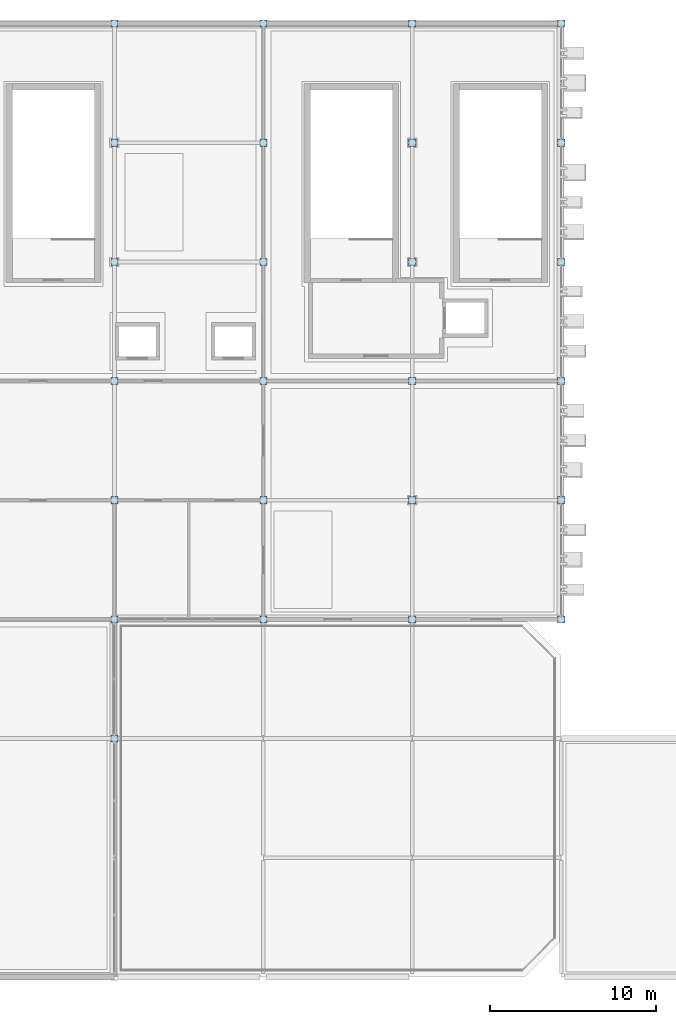
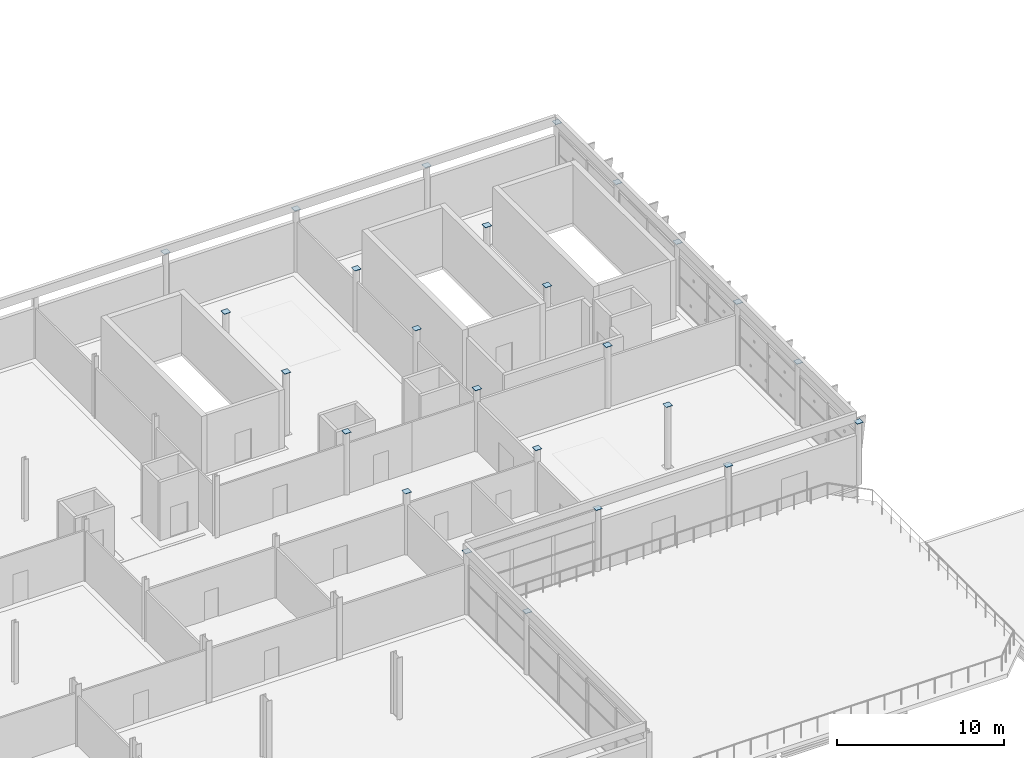
# One storey, part 43 of 52: 25 plates.
"""IFC4 building model written with IfcOpenShell, lengths in metres."""

from ifc_helpers import new_model, si_unit, direction, frame, origin, origin_2d, place, context, subcontext, project, spatial, rectangle, extrude, material, layer, layer_set, type_object, element, save


model = new_model("IFC4")

# Units and contexts
model_context = context("Model", 3, precision=1e-05, world=origin(), true_north=direction((0.0, 1.0)))
body_context = subcontext(model_context, "Body", "Model", "MODEL_VIEW")
ifc_project = project(units=[si_unit("LENGTHUNIT", "METRE"), si_unit("AREAUNIT", "SQUARE_METRE"), si_unit("VOLUMEUNIT", "CUBIC_METRE"), si_unit("PLANEANGLEUNIT", "RADIAN"), si_unit("MASSUNIT", "GRAM", prefix="KILO")], contexts=[model_context])

# Site, building, storey
site_placement = place(None, origin())
site = spatial("IfcSite", under=ifc_project, at=site_placement, CompositionType="ELEMENT")
building_placement = place(site_placement, origin())
building = spatial("IfcBuilding", under=site, at=building_placement, Name="Celestram Park Convention Centre", CompositionType="ELEMENT")
storey_placement = place(building_placement, frame((0.0, 0.0, 24.300048828125)))
storey = spatial("IfcBuildingStorey", under=building, at=storey_placement, Name="L05", CompositionType="ELEMENT", Elevation=24.300048828125)

# Plates
ifc_material = material(Name="Steel ASTM A572 Grade 50", Category="steel")
ifc_layer = layer(ifc_material, 0.02490234375)
ifc_layer_set = layer_set([ifc_layer], Name="Steel ASTM A572 Grade 50")
plate_type = type_object("IfcPlateType", Name="STR-PLT-EC400", PredefinedType="USERDEFINED", material=ifc_layer_set)
for number, where, z_axis, x_axis, name in (
    (1, (72.0, 122.39990234375, 4.49951171875), (0.0, 0.0, 1.0), (1.0, 0.0, 0.0), "HSS column end closure cap plate EC-L05-021"),
    (2, (72.0, 129.60009765625, 4.49951171875), (0.0, 0.0, 1.0), (1.0, 0.0, 0.0), "HSS column end closure cap plate EC-L05-022"),
    (3, (72.0, 136.800048828125, 4.49951171875), (0.0, 0.0, 1.0), (1.0, 0.0, 0.0), "HSS column end closure cap plate EC-L05-023"),
    (4, (72.0, 144.0, 4.49951171875), (0.0, 0.0, 1.0), (1.0, 0.0, 0.0), "HSS column end closure cap plate EC-L05-024"),
    (5, (72.0, 151.199951171875, 4.49951171875), (0.0, 0.0, 1.0), (1.0, 0.0, 0.0), "HSS column end closure cap plate EC-L05-025"),
    (6, (72.0, 158.39990234375, 4.49951171875), (0.0, 0.0, 1.0), (1.0, 0.0, 0.0), "HSS column end closure cap plate EC-L05-026"),
    (7, (72.0, 165.60009765625, 4.49951171875), (0.0, 0.0, 1.0), (1.0, 0.0, 0.0), "HSS column end closure cap plate EC-L05-027"),
    (8, (81.0, 129.60009765625, 4.49951171875), (0.0, 0.0, 1.0), (1.0, 0.0, 0.0), "HSS column end closure cap plate EC-L05-031"),
    (9, (81.0, 136.800048828125, 4.49951171875), (0.0, 0.0, 1.0), (1.0, 0.0, 0.0), "HSS column end closure cap plate EC-L05-032"),
    (10, (81.0, 144.0, 4.49951171875), (0.0, 0.0, 1.0), (1.0, 0.0, 0.0), "HSS column end closure cap plate EC-L05-033"),
    (11, (81.0, 151.199951171875, 4.49951171875), (0.0, 0.0, 1.0), (1.0, 0.0, 0.0), "HSS column end closure cap plate EC-L05-034"),
    (12, (81.0, 158.39990234375, 4.49951171875), (0.0, 0.0, 1.0), (1.0, 0.0, 0.0), "HSS column end closure cap plate EC-L05-035"),
    (13, (81.0, 165.60009765625, 4.49951171875), (0.0, 0.0, 1.0), (1.0, 0.0, 0.0), "HSS column end closure cap plate EC-L05-036"),
    (14, (90.0, 129.60009765625, 4.49951171875), (0.0, 0.0, 1.0), (1.0, 0.0, 0.0), "HSS column end closure cap plate EC-L05-040"),
    (15, (90.0, 136.800048828125, 4.49951171875), (0.0, 0.0, 1.0), (1.0, 0.0, 0.0), "HSS column end closure cap plate EC-L05-041"),
    (16, (90.0, 144.0, 4.49951171875), (0.0, 0.0, 1.0), (1.0, 0.0, 0.0), "HSS column end closure cap plate EC-L05-042"),
    (17, (90.0, 151.199951171875, 4.49951171875), (0.0, 0.0, 1.0), (1.0, 0.0, 0.0), "HSS column end closure cap plate EC-L05-043"),
    (18, (90.0, 158.39990234375, 4.49951171875), (0.0, 0.0, 1.0), (1.0, 0.0, 0.0), "HSS column end closure cap plate EC-L05-044"),
    (19, (90.0, 165.60009765625, 4.49951171875), (0.0, 0.0, 1.0), (1.0, 0.0, 0.0), "HSS column end closure cap plate EC-L05-045"),
    (20, (99.0, 129.60009765625, 4.49951171875), (0.0, 0.0, 1.0), (1.0, 0.0, 0.0), "HSS column end closure cap plate EC-L05-050"),
    (21, (99.0, 136.800048828125, 4.49951171875), (0.0, 0.0, 1.0), (1.0, 0.0, 0.0), "HSS column end closure cap plate EC-L05-052"),
    (22, (99.0, 144.0, 4.49951171875), (0.0, 0.0, 1.0), (1.0, 0.0, 0.0), "HSS column end closure cap plate EC-L05-054"),
    (23, (99.0, 151.199951171875, 4.49951171875), (0.0, 0.0, 1.0), (1.0, 0.0, 0.0), "HSS column end closure cap plate EC-L05-056"),
    (24, (99.0, 158.39990234375, 4.49951171875), (0.0, 0.0, 1.0), (1.0, 0.0, 0.0), "HSS column end closure cap plate EC-L05-058"),
    (25, (99.0, 165.60009765625, 4.49951171875), (0.0, 0.0, 1.0), (1.0, 0.0, 0.0), "HSS column end closure cap plate EC-L05-060"),
):
    element("IfcPlate", number, at=place(storey_placement, frame(where, z_axis=z_axis, x_axis=x_axis)), inside=storey, type_object=plate_type, Name=name, ObjectType="GUSSET_PLATE", PredefinedType="USERDEFINED", context=body_context, shape_type="SweptSolid", body=[
        extrude(rectangle(XDim=0.429931640625, YDim=0.429931640625, at=origin_2d()), origin(), (0.0, 0.0, 1.0), 0.02490234375),
    ])

save(model, "model.ifc")
